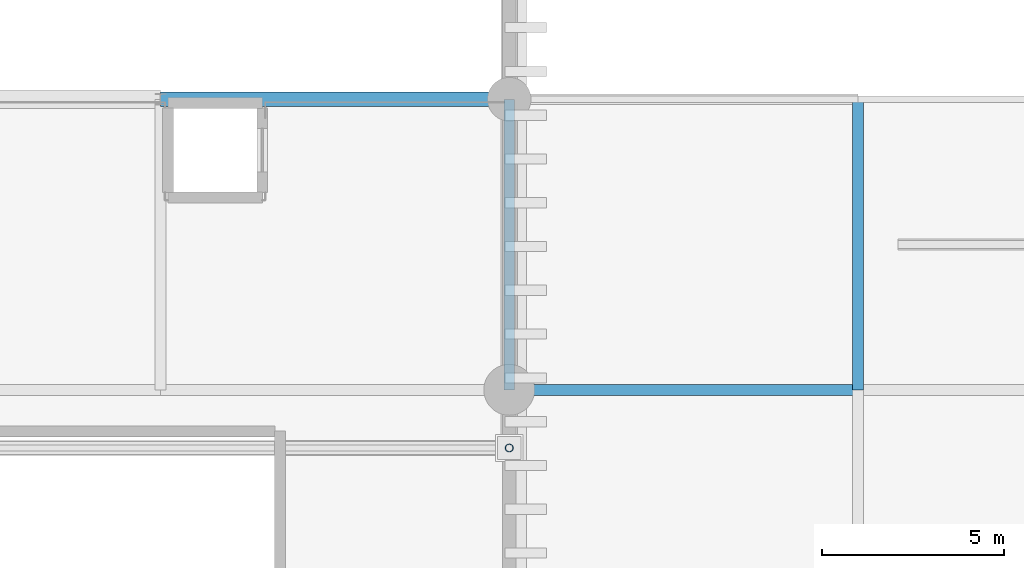
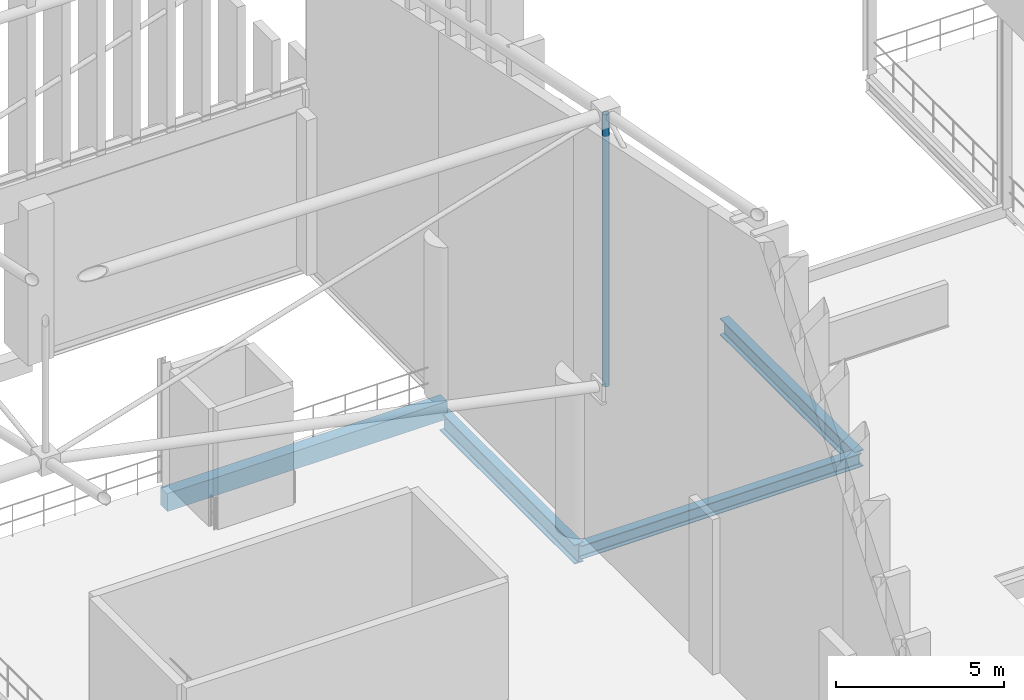
# One storey, part 134 of 193: 4 beams, 1 member.
"""IFC4 building model written with IfcOpenShell, lengths in metres."""

import ifcopenshell
import ifcopenshell.guid

model = None  # the IFC model being written
_history = None  # IfcOwnerHistory: only IFC2X3 demands one
_inside = {}  # id of a spatial element -> (the spatial element, [elements in it])
_under = {}  # id of a project, library or spatial element -> (it, [spatial elements below it])
_declared = {}  # id of a project -> (the project, [libraries it declares])
_typed = {}  # id of a type object -> (the type object, [elements of that type])
_made_of = {}  # id of a material, layer set ... -> (it, [elements and type objects made of it])


def new_model(schema):
    """Start an empty IFC model of exactly this schema.

    Asked for "IFC4X3", IfcOpenShell would pick the latest addendum, in which some entities
    have other attributes; the version numbers below select the first issue.
    IFC2X3 requires an IfcOwnerHistory on every rooted entity: one is made here for all.
    """
    global model, _history
    if schema == "IFC4X3":
        model = ifcopenshell.file(schema_version=(4, 3, 0, 0))
    else:
        model = ifcopenshell.file(schema=schema)
    _inside.clear()
    _under.clear()
    _declared.clear()
    _typed.clear()
    _made_of.clear()
    _history = None
    if model.schema == "IFC2X3":
        org = make("IfcOrganization", Name="unknown")
        user = make(
            "IfcPersonAndOrganization",
            ThePerson=make("IfcPerson", FamilyName="unknown"),
            TheOrganization=org,
        )
        app = make(
            "IfcApplication",
            ApplicationDeveloper=org,
            Version="unknown",
            ApplicationFullName="unknown",
            ApplicationIdentifier="unknown",
        )
        _history = make(
            "IfcOwnerHistory",
            OwningUser=user,
            OwningApplication=app,
            ChangeAction="ADDED",
            CreationDate=0,
        )
    return model


def make(cls, **values):
    """One entity of the class cls with the attributes given. An attribute that is None is left unset."""
    return model.create_entity(
        cls, **{name: value for name, value in values.items() if value is not None}
    )


def rooted(cls, **values):
    """An entity with a GlobalId (a new one), such as an element, a storey or a relation."""
    return make(cls, GlobalId=ifcopenshell.guid.new(), OwnerHistory=_history, **values)


def si_unit(unit_type, name, prefix=None):
    """IfcSIUnit, for example si_unit("LENGTHUNIT", "METRE", prefix="MILLI")."""
    return make("IfcSIUnit", UnitType=unit_type, Prefix=prefix, Name=name)


def assignment(units):
    """IfcUnitAssignment: the units of a project."""
    return None if units is None else make("IfcUnitAssignment", Units=units)


def point(xyz):
    """IfcCartesianPoint."""
    return None if xyz is None else make("IfcCartesianPoint", Coordinates=xyz)


def direction(xyz):
    """IfcDirection."""
    return None if xyz is None else make("IfcDirection", DirectionRatios=xyz)


def frame(location, z_axis=None, x_axis=None):
    """IfcAxis2Placement3D, a coordinate frame: its origin and axes. An axis left out is left unset."""
    return make(
        "IfcAxis2Placement3D",
        Location=point(location),
        Axis=direction(z_axis),
        RefDirection=direction(x_axis),
    )


def frame_2d(location, x_axis=None):
    """IfcAxis2Placement2D, a coordinate frame in the plane: its origin and x axis."""
    return make(
        "IfcAxis2Placement2D", Location=point(location), RefDirection=direction(x_axis)
    )


def origin():
    """The frame at (0, 0, 0) with its axes left unset."""
    return frame((0.0, 0.0, 0.0))


def origin_2d():
    """The frame at (0, 0) in the plane with its x axis left unset."""
    return frame_2d((0.0, 0.0))


def place(relative_to, where):
    """IfcLocalPlacement: puts the frame where relative to a parent placement (None: the world)."""
    return make(
        "IfcLocalPlacement", PlacementRelTo=relative_to, RelativePlacement=where
    )


def context(
    kind, dimensions, precision=None, world=None, true_north=None, identifier=None
):
    """IfcGeometricRepresentationContext, for example the 3D "Model" context."""
    return make(
        "IfcGeometricRepresentationContext",
        ContextIdentifier=identifier,
        ContextType=kind,
        CoordinateSpaceDimension=dimensions,
        Precision=precision,
        WorldCoordinateSystem=world,
        TrueNorth=true_north,
    )


def subcontext(parent, identifier, kind, view, scale=None):
    """IfcGeometricRepresentationSubContext, for example "Body" below "Model"."""
    return make(
        "IfcGeometricRepresentationSubContext",
        ContextIdentifier=identifier,
        ContextType=kind,
        ParentContext=parent,
        TargetScale=scale,
        TargetView=view,
    )


def project(units=None, contexts=None):
    """IfcProject with its units and contexts."""
    return rooted(
        "IfcProject",
        Name="project",
        RepresentationContexts=contexts,
        UnitsInContext=assignment(units),
    )


def spatial(cls, under=None, at=None, **own):
    """A site, building, storey or space (cls), placed at a placement, below another one or the project."""
    s = rooted(cls, ObjectPlacement=at, **own)
    if under is not None:
        _under.setdefault(under.id(), (under, []))[1].append(s)
    return s


def profile(cls, at=None, kind="AREA", **sizes):
    """A parametric profile (cls). Its sizes go by their IFC names, for example OverallWidth=200.0."""
    return make(cls, ProfileType=kind, Position=at, **sizes)


def rectangle(**sizes):
    """IfcRectangleProfileDef."""
    return profile("IfcRectangleProfileDef", **sizes)


def hollow_circle(**sizes):
    """IfcCircleHollowProfileDef."""
    return profile("IfcCircleHollowProfileDef", **sizes)


def i_section(**sizes):
    """IfcIShapeProfileDef."""
    return profile("IfcIShapeProfileDef", **sizes)


def extrude(swept, where, along, depth):
    """IfcExtrudedAreaSolid: the profile swept, set in the frame where, extruded along a direction by depth."""
    return make(
        "IfcExtrudedAreaSolid",
        SweptArea=swept,
        Position=where,
        ExtrudedDirection=direction(along),
        Depth=depth,
    )


def shape(context_of_items, identifier, shape_type, items):
    """IfcShapeRepresentation: the items that make up one representation, for example the "Body"."""
    return make(
        "IfcShapeRepresentation",
        ContextOfItems=context_of_items,
        RepresentationIdentifier=identifier,
        RepresentationType=shape_type,
        Items=items,
    )


def material(Name=None, Category=None):
    """IfcMaterial."""
    return make("IfcMaterial", Name=Name, Category=Category)


def material_profile(
    of_material, cross_section, Name=None, Category=None, Priority=None
):
    """IfcMaterialProfile: a cross section and its material."""
    return make(
        "IfcMaterialProfile",
        Name=Name,
        Material=of_material,
        Profile=cross_section,
        Priority=Priority,
        Category=Category,
    )


def profile_set(profiles, Name=None, composite=None):
    """IfcMaterialProfileSet."""
    return make(
        "IfcMaterialProfileSet",
        Name=Name,
        MaterialProfiles=profiles,
        CompositeProfile=composite,
    )


def made_of(thing, what):
    """Note that an element or type object is made of a material, layer set ...; save() writes the relation."""
    if what is not None:
        _made_of.setdefault(what.id(), (what, []))[1].append(thing)
    return thing


def type_object(cls, material=None, **own):
    """A type object (cls), such as IfcWallType, which elements share."""
    return made_of(rooted(cls, **own), material)


def element(
    cls,
    number,
    at=None,
    inside=None,
    cuts=None,
    type_object=None,
    material=None,
    context=None,
    identifier="Body",
    shape_type=None,
    held_by="IfcProductDefinitionShape",
    body=None,
    shapes=None,
    **own,
):
    """One element of the class cls, such as IfcWall. Its Tag is "e" and its number.

    at: its placement. inside: the storey or other place that contains it. cuts: it is an
    opening in that element (IfcRelVoidsElement). A single representation is given by context,
    identifier, shape_type and body (its items); several are given by shapes. held_by: the class
    of the entity that holds the representations. save() writes the other relations.
    """
    e = rooted(cls, Tag="e%d" % number, ObjectPlacement=at, **own)
    if body is not None:
        shapes = [shape(context, identifier, shape_type, body)]
    if shapes is not None:
        e.Representation = make(held_by, Representations=shapes)
    if inside is not None:
        _inside.setdefault(inside.id(), (inside, []))[1].append(e)
    if cuts is not None:
        rooted(
            "IfcRelVoidsElement", RelatingBuildingElement=cuts, RelatedOpeningElement=e
        )
    if type_object is not None:
        _typed.setdefault(type_object.id(), (type_object, []))[1].append(e)
    return made_of(e, material)


def aggregate(whole, parts):
    """IfcRelAggregates: a whole, such as a stair, and the parts it consists of."""
    return rooted("IfcRelAggregates", RelatingObject=whole, RelatedObjects=parts)


def save(model, path):
    """Write the relations noted so far, then the file.

    IfcRelAggregates (storeys below a building ...), IfcRelContainedInSpatialStructure (elements
    in a storey), IfcRelDefinesByType, IfcRelAssociatesMaterial and IfcRelDeclares: one each for
    every whole, place, type object, material and project.
    """
    for whole, parts in _under.values():
        aggregate(whole, parts)
    for where, things in _inside.values():
        rooted(
            "IfcRelContainedInSpatialStructure",
            RelatedElements=things,
            RelatingStructure=where,
        )
    for kind, things in _typed.values():
        rooted("IfcRelDefinesByType", RelatedObjects=things, RelatingType=kind)
    for what, things in _made_of.values():
        rooted("IfcRelAssociatesMaterial", RelatedObjects=things, RelatingMaterial=what)
    for by, libraries in _declared.values():
        rooted("IfcRelDeclares", RelatingContext=by, RelatedDefinitions=libraries)
    model.write(path)


model = new_model("IFC4")

# Units and contexts
model_context = context("Model", 3, precision=1e-05, world=origin(), true_north=direction((0.0, 1.0)))
body_context = subcontext(model_context, "Body", "Model", "MODEL_VIEW")
ifc_project = project(units=[si_unit("LENGTHUNIT", "METRE"), si_unit("AREAUNIT", "SQUARE_METRE"), si_unit("VOLUMEUNIT", "CUBIC_METRE"), si_unit("PLANEANGLEUNIT", "RADIAN"), si_unit("MASSUNIT", "GRAM", prefix="KILO")], contexts=[model_context])

# Site, building, storey
site_placement = place(None, origin())
site = spatial("IfcSite", under=ifc_project, at=site_placement, CompositionType="ELEMENT")
building_placement = place(site_placement, origin())
building = spatial("IfcBuilding", under=site, at=building_placement, Name="Danafjord Basin Convention Centre", CompositionType="ELEMENT")
storey_placement = place(building_placement, frame((0.0, 0.0, 11.39990234375)))
storey = spatial("IfcBuildingStorey", under=building, at=storey_placement, Name="L02", CompositionType="ELEMENT", Elevation=11.39990234375)

# Beams
ifc_material_1 = material(Name="Steel S355", Category="steel")
ifc_material_profile_1 = material_profile(ifc_material_1, i_section(OverallWidth=0.300048828125, OverallDepth=0.489990234375, WebThickness=0.011962890625, FlangeThickness=0.02294921875, FilletRadius=0.027099609375, at=origin_2d()), Name="HEA 500")
ifc_profile_set_1 = profile_set([ifc_material_profile_1], Name="Steel S355")
beam_type_1 = type_object("IfcBeamType", Name="BEAM-BM-HEA500", PredefinedType="BEAM", material=ifc_profile_set_1)
beam_1_placement = place(storey_placement, frame((115.199951171875, 128.0, -0.909912109375), z_axis=(1.0, 0.0, 0.0), x_axis=(0.0, 1.0, 0.0)))
element("IfcBeam", 1, at=beam_1_placement, inside=storey, type_object=beam_type_1, Name="L02 girder BM-HEA500", PredefinedType="BEAM", context=body_context, shape_type="SweptSolid", body=[
    extrude(i_section(OverallWidth=0.300048828125, OverallDepth=0.489990234375, WebThickness=0.011962890625, FlangeThickness=0.02294921875, FilletRadius=0.027099609375, at=origin_2d()), origin(), (0.0, 0.0, 1.0), 9.60009765625),
])
ifc_material_profile_2 = material_profile(ifc_material_1, i_section(OverallWidth=0.300048828125, OverallDepth=0.60009765625, WebThickness=0.015380859375, FlangeThickness=0.030029296875, FilletRadius=0.027099609375, at=origin_2d()), Name="HEB 600")
ifc_profile_set_2 = profile_set([ifc_material_profile_2], Name="Steel S355")
beam_type_2 = type_object("IfcBeamType", Name="BEAM-BM-HEB600", PredefinedType="BEAM", material=ifc_profile_set_2)
beam_2_placement = place(storey_placement, frame((124.800048828125, 128.0, -0.96484375), z_axis=(0.0, 1.0, 0.0), x_axis=(-1.0, 0.0, 0.0)))
element("IfcBeam", 2, at=beam_2_placement, inside=storey, type_object=beam_type_2, Name="L02 transverse girder BM-HEB600", PredefinedType="BEAM", context=body_context, shape_type="SweptSolid", body=[
    extrude(i_section(OverallWidth=0.300048828125, OverallDepth=0.60009765625, WebThickness=0.015380859375, FlangeThickness=0.030029296875, FilletRadius=0.027099609375, at=origin_2d()), origin(), (0.0, 0.0, 1.0), 8.0),
])
ifc_material_profile_3 = material_profile(ifc_material_1, i_section(OverallWidth=0.300048828125, OverallDepth=0.699951171875, WebThickness=0.01708984375, FlangeThickness=0.031982421875, FilletRadius=0.027099609375, at=origin_2d()), Name="HEB 700")
ifc_profile_set_3 = profile_set([ifc_material_profile_3], Name="Steel S355")
beam_type_3 = type_object("IfcBeamType", Name="BEAM-BM-HEB700", PredefinedType="BEAM", material=ifc_profile_set_3)
beam_3_placement = place(storey_placement, frame((115.199951171875, 128.0, -1.014892578125), z_axis=(0.0, 1.0, 0.0), x_axis=(-1.0, 0.0, 0.0)))
element("IfcBeam", 3, at=beam_3_placement, inside=storey, type_object=beam_type_3, Name="L02 transverse girder BM-HEB700", PredefinedType="BEAM", context=body_context, shape_type="SweptSolid", body=[
    extrude(i_section(OverallWidth=0.300048828125, OverallDepth=0.699951171875, WebThickness=0.01708984375, FlangeThickness=0.031982421875, FilletRadius=0.027099609375, at=origin_2d()), origin(), (0.0, 0.0, 1.0), 8.0),
])
ifc_material_2 = material(Name="Precast concrete C45/55", Category="concrete")
ifc_material_profile_4 = material_profile(ifc_material_2, rectangle(XDim=0.39990234375, YDim=0.64990234375, at=origin_2d()), Name="PCB 400x650")
ifc_profile_set_4 = profile_set([ifc_material_profile_4], Name="Precast concrete C45/55")
beam_type_4 = type_object("IfcBeamType", Name="BEAM-SP-PCB650", PredefinedType="SPANDREL", material=ifc_profile_set_4)
beam_4_placement = place(storey_placement, frame((105.60009765625, 136.0, -0.554931640625), z_axis=(1.0, 0.0, 0.0), x_axis=(0.0, 1.0, 0.0)))
element("IfcBeam", 4, at=beam_4_placement, inside=storey, type_object=beam_type_4, Name="L02 girder SP-PCB650", PredefinedType="SPANDREL", context=body_context, shape_type="SweptSolid", body=[
    extrude(rectangle(XDim=0.39990234375, YDim=0.64990234375, at=origin_2d()), origin(), (0.0, 0.0, 1.0), 9.599853515625),
])

# Member
ifc_material_profile_5 = material_profile(ifc_material_1, hollow_circle(Radius=0.109619140625, WallThickness=0.010009765625, at=origin_2d()), Name="CHS 219.1x10.0")
ifc_profile_set_5 = profile_set([ifc_material_profile_5], Name="Steel S355")
member_type = type_object("IfcMemberType", Name="MEM-ST-CHS219", PredefinedType="STRUT", material=ifc_profile_set_5)
member_placement = place(storey_placement, frame((115.199951171875, 126.39990234375, 6.050048828125), z_axis=(0.0, 0.0, 1.0), x_axis=(1.0, 0.0, 0.0)))
element("IfcMember", 5, at=member_placement, inside=storey, type_object=member_type, Name="V1 roof truss vertical strut", PredefinedType="STRUT", context=body_context, shape_type="SweptSolid", body=[
    extrude(hollow_circle(Radius=0.109619140625, WallThickness=0.010009765625, at=origin_2d()), origin(), (0.0, 0.0, 1.0), 9.86083984375),
])

save(model, "model.ifc")
